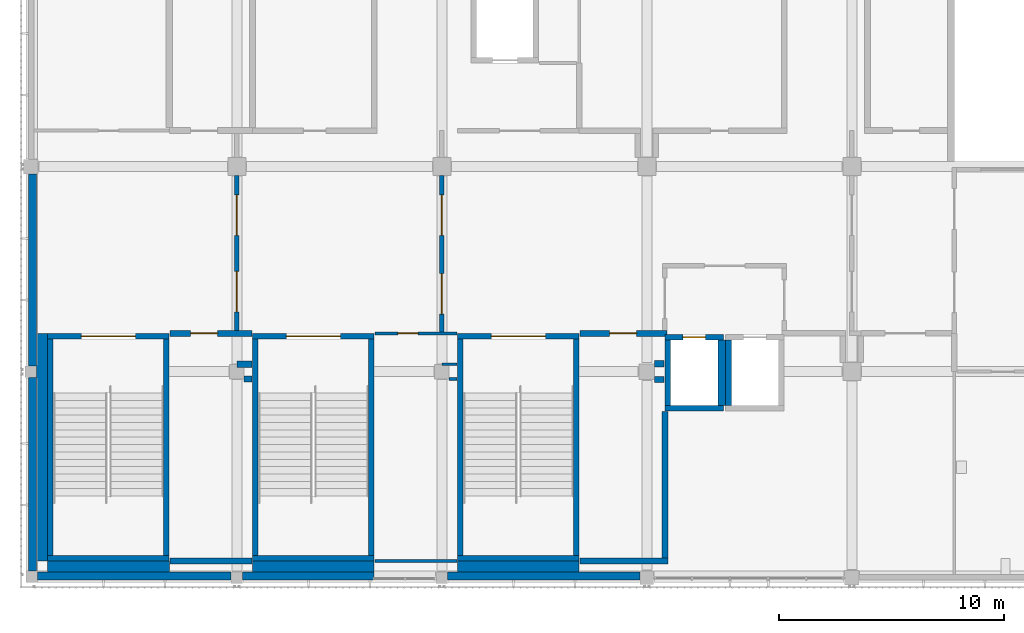
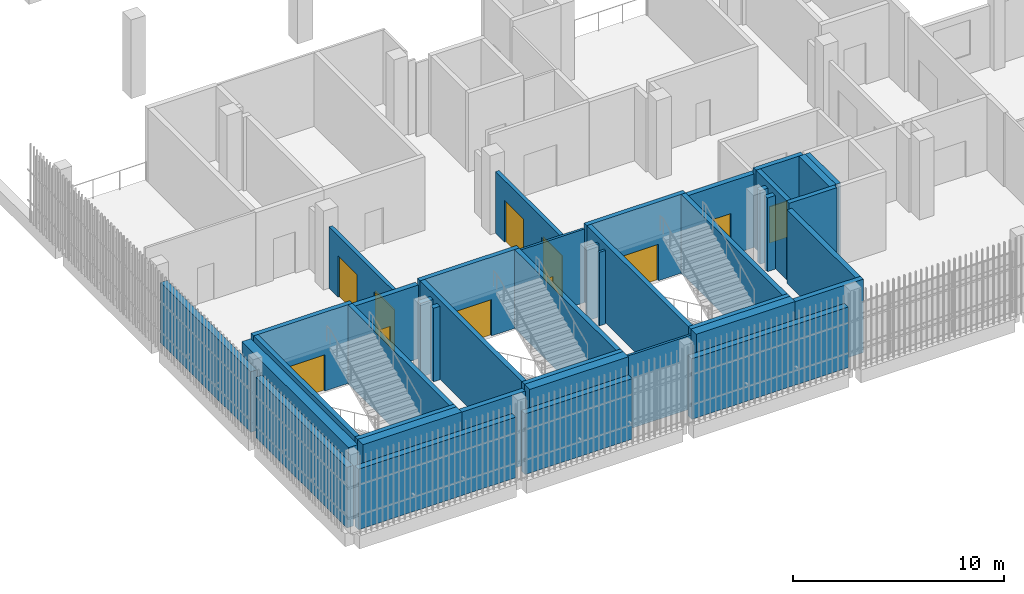
# One storey, part 53 of 104: 41 walls, 11 doors, 11 openings.
"""IFC4 building model written with IfcOpenShell, lengths in metres."""

from ifc_helpers import new_model, si_unit, direction, frame, frame_2d, origin, place, context, subcontext, project, spatial, rectangle, extrude, material, layer, layer_set, type_object, element, fill, save


model = new_model("IFC4")

# Units and contexts
model_context = context("Model", 3, precision=1e-05, world=origin(), true_north=direction((0.0, 1.0)))
body_context = subcontext(model_context, "Body", "Model", "MODEL_VIEW")
ifc_project = project(units=[si_unit("LENGTHUNIT", "METRE"), si_unit("AREAUNIT", "SQUARE_METRE"), si_unit("VOLUMEUNIT", "CUBIC_METRE"), si_unit("PLANEANGLEUNIT", "RADIAN"), si_unit("MASSUNIT", "GRAM", prefix="KILO")], contexts=[model_context])

# Site, building, storey
site_placement = place(None, origin())
site = spatial("IfcSite", under=ifc_project, at=site_placement, CompositionType="ELEMENT")
building_placement = place(site_placement, origin())
building = spatial("IfcBuilding", under=site, at=building_placement, Name="Shirokan Park Arena", CompositionType="ELEMENT")
storey_placement = place(building_placement, frame((0.0, 0.0, 10.919921875)))
storey = spatial("IfcBuildingStorey", under=building, at=storey_placement, Name="L02", CompositionType="ELEMENT", Elevation=10.919921875)

# Wall, openings, doors
ifc_material_1 = material(Name="Gypsum board")
ifc_layer_1 = layer(ifc_material_1, 0.02490234375, Name="Gypsum board, two layers")
ifc_material_2 = material(Name="Mineral wool insulation")
ifc_layer_2 = layer(ifc_material_2, 0.14990234375, Name="Mineral wool insulation")
ifc_layer_3 = layer(ifc_material_1, 0.02490234375, Name="Gypsum board, two layers")
ifc_layer_set_1 = layer_set([ifc_layer_1, ifc_layer_2, ifc_layer_3], Name="Gypsum board, two layers + Mineral wool insulation")
wall_type_1 = type_object("IfcWallType", Name="Corridor wall 200", PredefinedType="PARTITIONING", material=ifc_layer_set_1)
wall_1_placement = place(storey_placement, frame((9.10009765625, 17.800048828125, 0.0), z_axis=(0.0, 0.0, 1.0), x_axis=(0.0, -1.0, 0.0)))
wall_1 = element("IfcWall", 1, at=wall_1_placement, inside=storey, type_object=wall_type_1, Name="Corridor wall 200 L02", PredefinedType="PARTITIONING", context=body_context, shape_type="SweptSolid", body=[
    extrude(rectangle(XDim=6.862548828125, YDim=0.199951171875, at=frame_2d((3.43115234375, 0.0))), origin(), (0.0, 0.0, 1.0), 3.550048828125),
])
opening_1_placement = place(wall_1_placement, frame((0.85009765625, 0.0, 0.0)))
opening_1 = element("IfcOpeningElement", 2, at=opening_1_placement, cuts=wall_1, Name="Opening D-2043", PredefinedType="OPENING", context=body_context, shape_type="SweptSolid", body=[
    extrude(rectangle(XDim=1.800048828125, YDim=2.39990234375, at=frame_2d((0.89990234375, 1.199951171875))), frame((0.0, 0.10986328125, 0.0), z_axis=(0.0, -1.0, 0.0), x_axis=(1.0, 0.0, 0.0)), (0.0, 0.0, 1.0), 0.219970703125),
])
opening_2_placement = place(wall_1_placement, frame((4.25, 0.0, 0.0)))
opening_2 = element("IfcOpeningElement", 3, at=opening_2_placement, cuts=wall_1, Name="Opening D-2044", PredefinedType="OPENING", context=body_context, shape_type="SweptSolid", body=[
    extrude(rectangle(XDim=1.800048828125, YDim=2.39990234375, at=frame_2d((0.89990234375, 1.199951171875))), frame((0.0, 0.10986328125, 0.0), z_axis=(0.0, -1.0, 0.0), x_axis=(1.0, 0.0, 0.0)), (0.0, 0.0, 1.0), 0.219970703125),
])
ifc_material_3 = material(Name="Glazed steel door set, fire resisting", Category="steel")
door_type_1 = type_object("IfcDoorType", Name="Lift lobby door 1800 x 2400", OperationType="DOUBLE_DOOR_SINGLE_SWING", PredefinedType="DOOR", material=ifc_material_3)
door_1_placement = place(opening_1_placement, origin())
door_1 = element("IfcDoor", 4, at=door_1_placement, inside=storey, type_object=door_type_1, Name="Door between Stair Lobby 1.2.1 and Lounge Lobby 1.2.2 D-2043", OperationType="DOUBLE_DOOR_SINGLE_SWING", OverallHeight=2.39990234375, OverallWidth=1.800048828125, PredefinedType="DOOR", context=body_context, shape_type="SweptSolid", body=[
    extrude(rectangle(XDim=1.800048828125, YDim=2.39990234375, at=frame_2d((0.89990234375, 1.199951171875))), frame((0.0, 0.02490234375, 0.0), z_axis=(0.0, -1.0, 0.0), x_axis=(1.0, 0.0, 0.0)), (0.0, 0.0, 1.0), 0.050048828125),
])
fill(opening_1, door_1)
door_2_placement = place(opening_2_placement, origin())
door_2 = element("IfcDoor", 5, at=door_2_placement, inside=storey, type_object=door_type_1, Name="Door between Stair Lobby 1.2.1 and Lounge Lobby 1.2.2 D-2044", OperationType="DOUBLE_DOOR_SINGLE_SWING", OverallHeight=2.39990234375, OverallWidth=1.800048828125, PredefinedType="DOOR", context=body_context, shape_type="SweptSolid", body=[
    extrude(rectangle(XDim=1.800048828125, YDim=2.39990234375, at=frame_2d((0.89990234375, 1.199951171875))), frame((0.0, 0.02490234375, 0.0), z_axis=(0.0, -1.0, 0.0), x_axis=(1.0, 0.0, 0.0)), (0.0, 0.0, 1.0), 0.050048828125),
])
fill(opening_2, door_2)

wall_2_placement = place(storey_placement, frame((18.199951171875, 17.800048828125, 0.0), z_axis=(0.0, 0.0, 1.0), x_axis=(0.0, -1.0, 0.0)))
wall_2 = element("IfcWall", 6, at=wall_2_placement, inside=storey, type_object=wall_type_1, Name="Corridor wall 200 L02", PredefinedType="PARTITIONING", context=body_context, shape_type="SweptSolid", body=[
    extrude(rectangle(XDim=6.9375, YDim=0.199951171875, at=frame_2d((3.46875, 0.0))), origin(), (0.0, 0.0, 1.0), 3.550048828125),
])
opening_3_placement = place(wall_2_placement, frame((0.85009765625, 0.0, 0.0)))
opening_3 = element("IfcOpeningElement", 7, at=opening_3_placement, cuts=wall_2, Name="Opening D-2045", PredefinedType="OPENING", context=body_context, shape_type="SweptSolid", body=[
    extrude(rectangle(XDim=1.800048828125, YDim=2.39990234375, at=frame_2d((0.89990234375, 1.199951171875))), frame((0.0, 0.10986328125, 0.0), z_axis=(0.0, -1.0, 0.0), x_axis=(1.0, 0.0, 0.0)), (0.0, 0.0, 1.0), 0.219970703125),
])
opening_4_placement = place(wall_2_placement, frame((4.35009765625, 0.0, 0.0)))
opening_4 = element("IfcOpeningElement", 8, at=opening_4_placement, cuts=wall_2, Name="Opening D-2046", PredefinedType="OPENING", context=body_context, shape_type="SweptSolid", body=[
    extrude(rectangle(XDim=1.800048828125, YDim=2.39990234375, at=frame_2d((0.89990234375, 1.199951171875))), frame((0.0, 0.10986328125, 0.0), z_axis=(0.0, -1.0, 0.0), x_axis=(1.0, 0.0, 0.0)), (0.0, 0.0, 1.0), 0.219970703125),
])
door_3_placement = place(opening_3_placement, origin())
door_3 = element("IfcDoor", 9, at=door_3_placement, inside=storey, type_object=door_type_1, Name="Door between Lounge Lobby 1.2.2 and Club Gallery 1.2.3 D-2045", OperationType="DOUBLE_DOOR_SINGLE_SWING", OverallHeight=2.39990234375, OverallWidth=1.800048828125, PredefinedType="DOOR", context=body_context, shape_type="SweptSolid", body=[
    extrude(rectangle(XDim=1.800048828125, YDim=2.39990234375, at=frame_2d((0.89990234375, 1.199951171875))), frame((0.0, 0.02490234375, 0.0), z_axis=(0.0, -1.0, 0.0), x_axis=(1.0, 0.0, 0.0)), (0.0, 0.0, 1.0), 0.050048828125),
])
fill(opening_3, door_3)
door_4_placement = place(opening_4_placement, origin())
door_4 = element("IfcDoor", 10, at=door_4_placement, inside=storey, type_object=door_type_1, Name="Door between Lounge Lobby 1.2.2 and Club Gallery 1.2.3 D-2046", OperationType="DOUBLE_DOOR_SINGLE_SWING", OverallHeight=2.39990234375, OverallWidth=1.800048828125, PredefinedType="DOOR", context=body_context, shape_type="SweptSolid", body=[
    extrude(rectangle(XDim=1.800048828125, YDim=2.39990234375, at=frame_2d((0.89990234375, 1.199951171875))), frame((0.0, 0.02490234375, 0.0), z_axis=(0.0, -1.0, 0.0), x_axis=(1.0, 0.0, 0.0)), (0.0, 0.0, 1.0), 0.050048828125),
])
fill(opening_4, door_4)

# Walls
ifc_material_4 = material(Name="Cedar cladding")
ifc_layer_4 = layer(ifc_material_4, 0.030029296875, Name="Cedar cladding")
ifc_layer_5 = layer(ifc_material_2, 0.10009765625, Name="Mineral wool insulation")
ifc_material_5 = material(Name="Concrete C35", Category="concrete")
ifc_layer_6 = layer(ifc_material_5, 0.199951171875, Name="Concrete C35")
ifc_material_6 = material(Name="Gypsum board lining")
ifc_layer_7 = layer(ifc_material_6, 0.02001953125, Name="Gypsum board lining")
ifc_layer_set_2 = layer_set([ifc_layer_4, ifc_layer_5, ifc_layer_6, ifc_layer_7], Name="Cedar cladding + Mineral wool insulation + Concrete C35 + Gypsum board lining")
wall_type_2 = type_object("IfcWallType", Name="Insulated tower wall 350", PredefinedType="SOLIDWALL", material=ifc_layer_set_2)
wall_3_placement = place(storey_placement, frame((0.25, 0.02490234375, 0.0), z_axis=(0.0, 0.0, 1.0), x_axis=(1.0, 0.0, 0.0)))
element("IfcWall", 11, at=wall_3_placement, inside=storey, type_object=wall_type_2, Name="South facade wall bay 1 L02", PredefinedType="SOLIDWALL", context=body_context, shape_type="SweptSolid", body=[
    extrude(rectangle(XDim=8.60009765625, YDim=0.35009765625, at=frame_2d((4.300048828125, 0.0))), origin(), (0.0, 0.0, 1.0), 3.5),
])
wall_4_placement = place(storey_placement, frame((9.35009765625, 0.02490234375, 0.0), z_axis=(0.0, 0.0, 1.0), x_axis=(1.0, 0.0, 0.0)))
element("IfcWall", 12, at=wall_4_placement, inside=storey, type_object=wall_type_2, Name="South facade wall bay 2 L02", PredefinedType="SOLIDWALL", context=body_context, shape_type="SweptSolid", body=[
    extrude(rectangle(XDim=5.849853515625, YDim=0.35009765625, at=frame_2d((2.9248046875, 0.0))), origin(), (0.0, 0.0, 1.0), 3.5),
])
wall_5_placement = place(storey_placement, frame((18.449951171875, 0.02490234375, 0.0), z_axis=(0.0, 0.0, 1.0), x_axis=(1.0, 0.0, 0.0)))
element("IfcWall", 13, at=wall_5_placement, inside=storey, type_object=wall_type_2, Name="South facade wall bay 3 L02", PredefinedType="SOLIDWALL", context=body_context, shape_type="SweptSolid", body=[
    extrude(rectangle(XDim=8.550048828125, YDim=0.35009765625, at=frame_2d((4.27490234375, 0.0))), origin(), (0.0, 0.0, 1.0), 3.5),
])
wall_6_placement = place(storey_placement, frame((0.02490234375, 17.875, 0.0), z_axis=(0.0, 0.0, 1.0), x_axis=(0.0, -1.0, 0.0)))
element("IfcWall", 14, at=wall_6_placement, inside=storey, type_object=wall_type_2, Name="West facade wall bay 11 L02", PredefinedType="SOLIDWALL", context=body_context, shape_type="SweptSolid", body=[
    extrude(rectangle(XDim=8.52490234375, YDim=0.35009765625, at=frame_2d((4.262451171875, 0.0))), origin(), (0.0, 0.0, 1.0), 3.5),
])
wall_7_placement = place(storey_placement, frame((0.02490234375, 8.85009765625, 0.0), z_axis=(0.0, 0.0, 1.0), x_axis=(0.0, -1.0, 0.0)))
element("IfcWall", 15, at=wall_7_placement, inside=storey, type_object=wall_type_2, Name="West facade wall bay 12 L02", PredefinedType="SOLIDWALL", context=body_context, shape_type="SweptSolid", body=[
    extrude(rectangle(XDim=8.60009765625, YDim=0.35009765625, at=frame_2d((4.300048828125, 0.0))), origin(), (0.0, 0.0, 1.0), 3.5),
])
ifc_material_7 = material(Name="Plaster")
ifc_layer_8 = layer(ifc_material_7, 0.012451171875, Name="Plaster")
ifc_material_8 = material(Name="Concrete blockwork", Category="masonry")
ifc_layer_9 = layer(ifc_material_8, 0.25, Name="Concrete blockwork 250")
ifc_layer_10 = layer(ifc_material_7, 0.012451171875, Name="Plaster")
ifc_layer_set_3 = layer_set([ifc_layer_8, ifc_layer_9, ifc_layer_10], Name="Plaster + Concrete blockwork 250")
wall_type_3 = type_object("IfcWallType", Name="Plant room wall 275", PredefinedType="SOLIDWALL", material=ifc_layer_set_3)
wall_8_placement = place(storey_placement, frame((9.10009765625, 9.425048828125, 0.0), z_axis=(0.0, 0.0, 1.0), x_axis=(1.0, 0.0, 0.0)))
element("IfcWall", 16, at=wall_8_placement, inside=storey, type_object=wall_type_3, Name="Plant room wall 275 L02", PredefinedType="SOLIDWALL", context=body_context, shape_type="SweptSolid", body=[
    extrude(rectangle(XDim=0.669921875, YDim=0.27490234375, at=frame_2d((0.3349609375, 0.0))), origin(), (0.0, 0.0, 1.0), 4.25),
])

# Wall, opening, door
wall_9_placement = place(storey_placement, frame((6.1298828125, 10.800048828125, 0.0), z_axis=(0.0, 0.0, 1.0), x_axis=(1.0, 0.0, 0.0)))
wall_9 = element("IfcWall", 17, at=wall_9_placement, inside=storey, type_object=wall_type_3, Name="Plant room wall 275 L02", PredefinedType="SOLIDWALL", context=body_context, shape_type="SweptSolid", body=[
    extrude(rectangle(XDim=3.64013671875, YDim=0.27490234375, at=frame_2d((1.820068359375, 0.0))), origin(), (0.0, 0.0, 1.0), 4.25),
])
opening_5_placement = place(wall_9_placement, frame((0.919921875, 0.0, 0.0)))
opening_5 = element("IfcOpeningElement", 18, at=opening_5_placement, cuts=wall_9, Name="Opening D-2006", PredefinedType="OPENING", context=body_context, shape_type="SweptSolid", body=[
    extrude(rectangle(XDim=1.199951171875, YDim=2.39990234375, at=frame_2d((0.60009765625, 1.199951171875))), frame((0.0, 0.1474609375, 0.0), z_axis=(0.0, -1.0, 0.0), x_axis=(1.0, 0.0, 0.0)), (0.0, 0.0, 1.0), 0.294921875),
])
ifc_material_9 = material(Name="Louvred steel door set, fire resisting", Category="steel")
door_type_2 = type_object("IfcDoorType", Name="Plant room door 1200 x 2400", OperationType="SINGLE_SWING_LEFT", PredefinedType="DOOR", material=ifc_material_9)
door_5_placement = place(opening_5_placement, origin())
door_5 = element("IfcDoor", 19, at=door_5_placement, inside=storey, type_object=door_type_2, Name="Door to Electrical Room 2.10 D-2006", OperationType="SINGLE_SWING_RIGHT", OverallHeight=2.39990234375, OverallWidth=1.199951171875, PredefinedType="DOOR", context=body_context, shape_type="SweptSolid", body=[
    extrude(rectangle(XDim=1.199951171875, YDim=2.39990234375, at=frame_2d((0.60009765625, 1.199951171875))), frame((0.0, 0.02490234375, 0.0), z_axis=(0.0, -1.0, 0.0), x_axis=(1.0, 0.0, 0.0)), (0.0, 0.0, 1.0), 0.050048828125),
])
fill(opening_5, door_5)

# Walls
wall_10_placement = place(storey_placement, frame((9.425048828125, 8.77490234375, 0.0), z_axis=(0.0, 0.0, 1.0), x_axis=(1.0, 0.0, 0.0)))
element("IfcWall", 20, at=wall_10_placement, inside=storey, type_object=wall_type_3, Name="Plant room wall 275 L02", PredefinedType="SOLIDWALL", context=body_context, shape_type="SweptSolid", body=[
    extrude(rectangle(XDim=0.344970703125, YDim=0.27490234375, at=frame_2d((0.17236328125, 0.0))), origin(), (0.0, 0.0, 1.0), 4.25),
])
wall_11_placement = place(storey_placement, frame((9.77001953125, 0.699951171875, 0.0), z_axis=(0.0, 0.0, 1.0), x_axis=(-1.0, 0.0, 0.0)))
element("IfcWall", 21, at=wall_11_placement, inside=storey, type_object=wall_type_3, Name="Plant room wall 275 L02", PredefinedType="SOLIDWALL", context=body_context, shape_type="SweptSolid", body=[
    extrude(rectangle(XDim=3.64013671875, YDim=0.27490234375, at=frame_2d((1.820068359375, 0.0))), origin(), (0.0, 0.0, 1.0), 4.25),
])
for number, where, z_axis, x_axis, name in (
    (22, (27.64990234375, 8.75, 0.0), (0.0, 0.0, 1.0), (1.0, 0.0, 0.0), "Plant room wall 275 L02"),
    (23, (28.070068359375, 9.449951171875, 0.0), (0.0, 0.0, 1.0), (-1.0, 0.0, 0.0), "Plant room wall 275 L02"),
):
    element("IfcWall", number, at=place(storey_placement, frame(where, z_axis=z_axis, x_axis=x_axis)), inside=storey, type_object=wall_type_3, Name=name, PredefinedType="SOLIDWALL", context=body_context, shape_type="SweptSolid", body=[
        extrude(rectangle(XDim=0.420166015625, YDim=0.27490234375, at=frame_2d((0.2099609375, 0.0))), origin(), (0.0, 0.0, 1.0), 4.25),
    ])
wall_12_placement = place(storey_placement, frame((28.10009765625, 7.320068359375, 0.0), z_axis=(0.0, 0.0, 1.0), x_axis=(0.0, -1.0, 0.0)))
element("IfcWall", 24, at=wall_12_placement, inside=storey, type_object=wall_type_3, Name="Plant room wall 275 L02", PredefinedType="SOLIDWALL", context=body_context, shape_type="SweptSolid", body=[
    extrude(rectangle(XDim=6.482666015625, YDim=0.27490234375, at=frame_2d((3.2412109375, 0.0))), origin(), (0.0, 0.0, 1.0), 4.25),
])

# Wall, opening, door
wall_13_placement = place(storey_placement, frame((28.199951171875, 10.800048828125, 0.0), z_axis=(0.0, 0.0, 1.0), x_axis=(-1.0, 0.0, 0.0)))
wall_13 = element("IfcWall", 25, at=wall_13_placement, inside=storey, type_object=wall_type_3, Name="Plant room wall 275 L02", PredefinedType="SOLIDWALL", context=body_context, shape_type="SweptSolid", body=[
    extrude(rectangle(XDim=3.869873046875, YDim=0.27490234375, at=frame_2d((1.93505859375, 0.0))), origin(), (0.0, 0.0, 1.0), 4.25),
])
opening_6_placement = place(wall_13_placement, frame((1.35009765625, 0.0, 0.0)))
opening_6 = element("IfcOpeningElement", 26, at=opening_6_placement, cuts=wall_13, Name="Opening D-2008", PredefinedType="OPENING", context=body_context, shape_type="SweptSolid", body=[
    extrude(rectangle(XDim=1.199951171875, YDim=2.39990234375, at=frame_2d((0.60009765625, 1.199951171875))), frame((0.0, 0.1474609375, 0.0), z_axis=(0.0, -1.0, 0.0), x_axis=(1.0, 0.0, 0.0)), (0.0, 0.0, 1.0), 0.294921875),
])
door_6_placement = place(opening_6_placement, origin())
door_6 = element("IfcDoor", 27, at=door_6_placement, inside=storey, type_object=door_type_2, Name="Door to Communications Room 2.12 D-2008", OperationType="SINGLE_SWING_LEFT", OverallHeight=2.39990234375, OverallWidth=1.199951171875, PredefinedType="DOOR", context=body_context, shape_type="SweptSolid", body=[
    extrude(rectangle(XDim=1.199951171875, YDim=2.39990234375, at=frame_2d((0.60009765625, 1.199951171875))), frame((0.0, 0.02490234375, 0.0), z_axis=(0.0, -1.0, 0.0), x_axis=(1.0, 0.0, 0.0)), (0.0, 0.0, 1.0), 0.050048828125),
])
fill(opening_6, door_6)

# Walls
wall_14_placement = place(storey_placement, frame((28.237548828125, 0.699951171875, 0.0), z_axis=(0.0, 0.0, 1.0), x_axis=(-1.0, 0.0, 0.0)))
element("IfcWall", 28, at=wall_14_placement, inside=storey, type_object=wall_type_3, Name="Plant room wall 275 L02", PredefinedType="SOLIDWALL", context=body_context, shape_type="SweptSolid", body=[
    extrude(rectangle(XDim=3.907470703125, YDim=0.27490234375, at=frame_2d((1.95361328125, 0.0))), origin(), (0.0, 0.0, 1.0), 4.25),
])
ifc_material_10 = material(Name="Concrete C40/50", Category="concrete")
ifc_layer_11 = layer(ifc_material_10, 0.25)
ifc_layer_set_4 = layer_set([ifc_layer_11], Name="Concrete C40/50 250 mm")
wall_type_4 = type_object("IfcWallType", Name="RC shear wall 250", PredefinedType="SHEAR", material=ifc_layer_set_4)
wall_15_placement = place(storey_placement, frame((30.699951171875, 7.47509765625, 0.0), z_axis=(0.0, 0.0, 1.0), x_axis=(-1.0, 0.0, 0.0)))
element("IfcWall", 29, at=wall_15_placement, inside=storey, type_object=wall_type_4, Name="Shaft wall Passenger Lift 1.1 S L02", PredefinedType="SHEAR", context=body_context, shape_type="SweptSolid", body=[
    extrude(rectangle(XDim=2.599853515625, YDim=0.25, at=frame_2d((1.2998046875, 0.0))), origin(), (0.0, 0.0, 1.0), 4.550048828125),
])

# Wall, opening, door
wall_16_placement = place(storey_placement, frame((30.699951171875, 10.625, 0.0), z_axis=(0.0, 0.0, 1.0), x_axis=(-1.0, 0.0, 0.0)))
wall_16 = element("IfcWall", 30, at=wall_16_placement, inside=storey, type_object=wall_type_4, Name="Shaft wall Passenger Lift 1.1 N L02", PredefinedType="SHEAR", context=body_context, shape_type="SweptSolid", body=[
    extrude(rectangle(XDim=2.599853515625, YDim=0.25, at=frame_2d((1.2998046875, 0.0))), origin(), (0.0, 0.0, 1.0), 4.550048828125),
])
opening_7_placement = place(wall_16_placement, frame((0.800048828125, 0.0, 0.0)))
opening_7 = element("IfcOpeningElement", 31, at=opening_7_placement, cuts=wall_16, Name="Opening LD03", PredefinedType="OPENING", context=body_context, shape_type="SweptSolid", body=[
    extrude(rectangle(XDim=1.0, YDim=2.10009765625, at=frame_2d((0.5, 1.050048828125))), frame((0.0, 0.135009765625, 0.0), z_axis=(0.0, -1.0, 0.0), x_axis=(1.0, 0.0, 0.0)), (0.0, 0.0, 1.0), 0.27001953125),
])
ifc_material_11 = material(Name="Stainless steel", Category="steel")
door_type_3 = type_object("IfcDoorType", Name="Lift landing door 1000x2100", OperationType="DOUBLE_DOOR_SLIDING", PredefinedType="DOOR", material=ifc_material_11)
door_7_placement = place(opening_7_placement, origin())
door_7 = element("IfcDoor", 32, at=door_7_placement, inside=storey, type_object=door_type_3, Name="Lift landing door Passenger Lift 1.1 L02", OperationType="DOUBLE_DOOR_SLIDING", OverallHeight=2.10009765625, OverallWidth=1.0, PredefinedType="DOOR", context=body_context, shape_type="SweptSolid", body=[
    extrude(rectangle(XDim=1.0, YDim=2.10009765625, at=frame_2d((0.5, 1.050048828125))), frame((0.0, 0.02490234375, 0.0), z_axis=(0.0, -1.0, 0.0), x_axis=(1.0, 0.0, 0.0)), (0.0, 0.0, 1.0), 0.050048828125),
])
fill(opening_7, door_7)

# Walls
for number, where, z_axis, x_axis, name in (
    (33, (28.22509765625, 10.5, 0.0), (0.0, 0.0, 1.0), (0.0, -1.0, 0.0), "Shaft wall Passenger Lift 1.1 W L02"),
    (34, (30.925048828125, 10.5, 0.0), (0.0, 0.0, 1.0), (0.0, -1.0, 0.0), "Shaft wall Passenger Lift 1.2 W L02"),
):
    element("IfcWall", number, at=place(storey_placement, frame(where, z_axis=z_axis, x_axis=x_axis)), inside=storey, type_object=wall_type_4, Name=name, PredefinedType="SHEAR", context=body_context, shape_type="SweptSolid", body=[
        extrude(rectangle(XDim=2.89990234375, YDim=0.25, at=frame_2d((1.449951171875, 0.0))), origin(), (0.0, 0.0, 1.0), 4.550048828125),
    ])
wall_17_placement = place(storey_placement, frame((6.10009765625, 0.824951171875, 0.0), z_axis=(0.0, 0.0, 1.0), x_axis=(-1.0, 0.0, 0.0)))
element("IfcWall", 35, at=wall_17_placement, inside=storey, type_object=wall_type_4, Name="Shaft wall Exit Stair 1.A S L02", PredefinedType="SHEAR", context=body_context, shape_type="SweptSolid", body=[
    extrude(rectangle(XDim=5.400146484375, YDim=0.25, at=frame_2d((2.7001953125, 0.0))), origin(), (0.0, 0.0, 1.0), 4.550048828125),
])

# Wall, opening, door
wall_18_placement = place(storey_placement, frame((6.10009765625, 10.675048828125, 0.0), z_axis=(0.0, 0.0, 1.0), x_axis=(-1.0, 0.0, 0.0)))
wall_18 = element("IfcWall", 36, at=wall_18_placement, inside=storey, type_object=wall_type_4, Name="Shaft wall Exit Stair 1.A N L02", PredefinedType="SHEAR", context=body_context, shape_type="SweptSolid", body=[
    extrude(rectangle(XDim=5.400146484375, YDim=0.25, at=frame_2d((2.7001953125, 0.0))), origin(), (0.0, 0.0, 1.0), 4.550048828125),
])
opening_8_placement = place(wall_18_placement, frame((1.5, 0.0, 0.0)))
opening_8 = element("IfcOpeningElement", 37, at=opening_8_placement, cuts=wall_18, Name="Opening D-2091", PredefinedType="OPENING", context=body_context, shape_type="SweptSolid", body=[
    extrude(rectangle(XDim=2.39990234375, YDim=2.10009765625, at=frame_2d((1.199951171875, 1.050048828125))), frame((0.0, 0.135009765625, 0.0), z_axis=(0.0, -1.0, 0.0), x_axis=(1.0, 0.0, 0.0)), (0.0, 0.0, 1.0), 0.27001953125),
])
ifc_material_12 = material(Name="Steel door set, fire resisting", Category="steel")
door_type_4 = type_object("IfcDoorType", Name="Stair door 2400 x 2100", OperationType="DOUBLE_DOOR_SINGLE_SWING", PredefinedType="DOOR", material=ifc_material_12)
door_8_placement = place(opening_8_placement, origin())
door_8 = element("IfcDoor", 38, at=door_8_placement, inside=storey, type_object=door_type_4, Name="Stair door Exit Stair 1.A D-2091", OperationType="DOUBLE_DOOR_SINGLE_SWING", OverallHeight=2.10009765625, OverallWidth=2.39990234375, PredefinedType="DOOR", context=body_context, shape_type="SweptSolid", body=[
    extrude(rectangle(XDim=2.39990234375, YDim=2.10009765625, at=frame_2d((1.199951171875, 1.050048828125))), frame((0.0, 0.02490234375, 0.0), z_axis=(0.0, -1.0, 0.0), x_axis=(1.0, 0.0, 0.0)), (0.0, 0.0, 1.0), 0.050048828125),
])
fill(opening_8, door_8)

# Walls
for number, where, z_axis, x_axis, name in (
    (39, (0.824951171875, 10.550048828125, 0.0), (0.0, 0.0, 1.0), (0.0, -1.0, 0.0), "Shaft wall Exit Stair 1.A W L02"),
    (40, (5.97509765625, 10.550048828125, 0.0), (0.0, 0.0, 1.0), (0.0, -1.0, 0.0), "Shaft wall Exit Stair 1.A E L02"),
):
    element("IfcWall", number, at=place(storey_placement, frame(where, z_axis=z_axis, x_axis=x_axis)), inside=storey, type_object=wall_type_4, Name=name, PredefinedType="SHEAR", context=body_context, shape_type="SweptSolid", body=[
        extrude(rectangle(XDim=9.60009765625, YDim=0.25, at=frame_2d((4.800048828125, 0.0))), origin(), (0.0, 0.0, 1.0), 4.550048828125),
    ])
wall_19_placement = place(storey_placement, frame((15.199951171875, 0.824951171875, 0.0), z_axis=(0.0, 0.0, 1.0), x_axis=(-1.0, 0.0, 0.0)))
element("IfcWall", 41, at=wall_19_placement, inside=storey, type_object=wall_type_4, Name="Shaft wall Exit Stair 1.B S L02", PredefinedType="SHEAR", context=body_context, shape_type="SweptSolid", body=[
    extrude(rectangle(XDim=5.39990234375, YDim=0.25, at=frame_2d((2.699951171875, 0.0))), origin(), (0.0, 0.0, 1.0), 4.550048828125),
])

# Wall, opening, door
wall_20_placement = place(storey_placement, frame((15.199951171875, 10.675048828125, 0.0), z_axis=(0.0, 0.0, 1.0), x_axis=(-1.0, 0.0, 0.0)))
wall_20 = element("IfcWall", 42, at=wall_20_placement, inside=storey, type_object=wall_type_4, Name="Shaft wall Exit Stair 1.B N L02", PredefinedType="SHEAR", context=body_context, shape_type="SweptSolid", body=[
    extrude(rectangle(XDim=5.39990234375, YDim=0.25, at=frame_2d((2.699951171875, 0.0))), origin(), (0.0, 0.0, 1.0), 4.550048828125),
])
opening_9_placement = place(wall_20_placement, frame((1.5, 0.0, 0.0)))
opening_9 = element("IfcOpeningElement", 43, at=opening_9_placement, cuts=wall_20, Name="Opening D-2092", PredefinedType="OPENING", context=body_context, shape_type="SweptSolid", body=[
    extrude(rectangle(XDim=2.39990234375, YDim=2.10009765625, at=frame_2d((1.199951171875, 1.050048828125))), frame((0.0, 0.135009765625, 0.0), z_axis=(0.0, -1.0, 0.0), x_axis=(1.0, 0.0, 0.0)), (0.0, 0.0, 1.0), 0.27001953125),
])
door_9_placement = place(opening_9_placement, origin())
door_9 = element("IfcDoor", 44, at=door_9_placement, inside=storey, type_object=door_type_4, Name="Stair door Exit Stair 1.B D-2092", OperationType="DOUBLE_DOOR_SINGLE_SWING", OverallHeight=2.10009765625, OverallWidth=2.39990234375, PredefinedType="DOOR", context=body_context, shape_type="SweptSolid", body=[
    extrude(rectangle(XDim=2.39990234375, YDim=2.10009765625, at=frame_2d((1.199951171875, 1.050048828125))), frame((0.0, 0.02490234375, 0.0), z_axis=(0.0, -1.0, 0.0), x_axis=(1.0, 0.0, 0.0)), (0.0, 0.0, 1.0), 0.050048828125),
])
fill(opening_9, door_9)

# Walls
for number, where, z_axis, x_axis, name in (
    (45, (9.925048828125, 10.550048828125, 0.0), (0.0, 0.0, 1.0), (0.0, -1.0, 0.0), "Shaft wall Exit Stair 1.B W L02"),
    (46, (15.074951171875, 10.550048828125, 0.0), (0.0, 0.0, 1.0), (0.0, -1.0, 0.0), "Shaft wall Exit Stair 1.B E L02"),
):
    element("IfcWall", number, at=place(storey_placement, frame(where, z_axis=z_axis, x_axis=x_axis)), inside=storey, type_object=wall_type_4, Name=name, PredefinedType="SHEAR", context=body_context, shape_type="SweptSolid", body=[
        extrude(rectangle(XDim=9.60009765625, YDim=0.25, at=frame_2d((4.800048828125, 0.0))), origin(), (0.0, 0.0, 1.0), 4.550048828125),
    ])
wall_21_placement = place(storey_placement, frame((24.300048828125, 0.824951171875, 0.0), z_axis=(0.0, 0.0, 1.0), x_axis=(-1.0, 0.0, 0.0)))
element("IfcWall", 47, at=wall_21_placement, inside=storey, type_object=wall_type_4, Name="Shaft wall Exit Stair 1.C S L02", PredefinedType="SHEAR", context=body_context, shape_type="SweptSolid", body=[
    extrude(rectangle(XDim=5.400146484375, YDim=0.25, at=frame_2d((2.7001953125, 0.0))), origin(), (0.0, 0.0, 1.0), 4.550048828125),
])

# Wall, opening, door
wall_22_placement = place(storey_placement, frame((24.300048828125, 10.675048828125, 0.0), z_axis=(0.0, 0.0, 1.0), x_axis=(-1.0, 0.0, 0.0)))
wall_22 = element("IfcWall", 48, at=wall_22_placement, inside=storey, type_object=wall_type_4, Name="Shaft wall Exit Stair 1.C N L02", PredefinedType="SHEAR", context=body_context, shape_type="SweptSolid", body=[
    extrude(rectangle(XDim=5.400146484375, YDim=0.25, at=frame_2d((2.7001953125, 0.0))), origin(), (0.0, 0.0, 1.0), 4.550048828125),
])
opening_10_placement = place(wall_22_placement, frame((1.5, 0.0, 0.0)))
opening_10 = element("IfcOpeningElement", 49, at=opening_10_placement, cuts=wall_22, Name="Opening D-2093", PredefinedType="OPENING", context=body_context, shape_type="SweptSolid", body=[
    extrude(rectangle(XDim=2.39990234375, YDim=2.10009765625, at=frame_2d((1.199951171875, 1.050048828125))), frame((0.0, 0.135009765625, 0.0), z_axis=(0.0, -1.0, 0.0), x_axis=(1.0, 0.0, 0.0)), (0.0, 0.0, 1.0), 0.27001953125),
])
door_10_placement = place(opening_10_placement, origin())
door_10 = element("IfcDoor", 50, at=door_10_placement, inside=storey, type_object=door_type_4, Name="Stair door Exit Stair 1.C D-2093", OperationType="DOUBLE_DOOR_SINGLE_SWING", OverallHeight=2.10009765625, OverallWidth=2.39990234375, PredefinedType="DOOR", context=body_context, shape_type="SweptSolid", body=[
    extrude(rectangle(XDim=2.39990234375, YDim=2.10009765625, at=frame_2d((1.199951171875, 1.050048828125))), frame((0.0, 0.02490234375, 0.0), z_axis=(0.0, -1.0, 0.0), x_axis=(1.0, 0.0, 0.0)), (0.0, 0.0, 1.0), 0.050048828125),
])
fill(opening_10, door_10)

# Walls
for number, where, z_axis, x_axis, name in (
    (51, (19.02490234375, 10.550048828125, 0.0), (0.0, 0.0, 1.0), (0.0, -1.0, 0.0), "Shaft wall Exit Stair 1.C W L02"),
    (52, (24.175048828125, 10.550048828125, 0.0), (0.0, 0.0, 1.0), (0.0, -1.0, 0.0), "Shaft wall Exit Stair 1.C E L02"),
):
    element("IfcWall", number, at=place(storey_placement, frame(where, z_axis=z_axis, x_axis=x_axis)), inside=storey, type_object=wall_type_4, Name=name, PredefinedType="SHEAR", context=body_context, shape_type="SweptSolid", body=[
        extrude(rectangle(XDim=9.60009765625, YDim=0.25, at=frame_2d((4.800048828125, 0.0))), origin(), (0.0, 0.0, 1.0), 4.550048828125),
    ])
ifc_layer_12 = layer(ifc_material_10, 0.35009765625)
ifc_layer_set_5 = layer_set([ifc_layer_12], Name="Concrete C40/50 350 mm")
wall_type_5 = type_object("IfcWallType", Name="RC shear wall 350", PredefinedType="SHEAR", material=ifc_layer_set_5)
wall_23_placement = place(storey_placement, frame((30.625, 10.5, 0.0), z_axis=(0.0, 0.0, 1.0), x_axis=(0.0, -1.0, 0.0)))
element("IfcWall", 53, at=wall_23_placement, inside=storey, type_object=wall_type_5, Name="Shaft wall Passenger Lift 1.1 E L02", PredefinedType="SHEAR", context=body_context, shape_type="SweptSolid", body=[
    extrude(rectangle(XDim=2.89990234375, YDim=0.35009765625, at=frame_2d((1.449951171875, 0.0))), origin(), (0.0, 0.0, 1.0), 4.550048828125),
])
ifc_layer_13 = layer(ifc_material_5, 0.5)
ifc_layer_set_6 = layer_set([ifc_layer_13], Name="Concrete C35 500 mm")
wall_type_6 = type_object("IfcWallType", Name="Shaft infill wall 500", PredefinedType="SOLIDWALL", material=ifc_layer_set_6)
wall_24_placement = place(storey_placement, frame((0.699951171875, 0.449951171875, 0.0), z_axis=(0.0, 0.0, 1.0), x_axis=(1.0, 0.0, 0.0)))
element("IfcWall", 54, at=wall_24_placement, inside=storey, type_object=wall_type_6, Name="Shaft infill wall L02", PredefinedType="SOLIDWALL", context=body_context, shape_type="SweptSolid", body=[
    extrude(rectangle(XDim=5.400146484375, YDim=0.5, at=frame_2d((2.7001953125, 0.0))), origin(), (0.0, 0.0, 1.0), 4.550048828125),
])
wall_25_placement = place(storey_placement, frame((0.449951171875, 0.699951171875, 0.0), z_axis=(0.0, 0.0, 1.0), x_axis=(0.0, 1.0, 0.0)))
element("IfcWall", 55, at=wall_25_placement, inside=storey, type_object=wall_type_6, Name="Shaft infill wall L02", PredefinedType="SOLIDWALL", context=body_context, shape_type="SweptSolid", body=[
    extrude(rectangle(XDim=10.10009765625, YDim=0.5, at=frame_2d((5.050048828125, 0.0))), origin(), (0.0, 0.0, 1.0), 4.25),
])
wall_26_placement = place(storey_placement, frame((9.800048828125, 0.449951171875, 0.0), z_axis=(0.0, 0.0, 1.0), x_axis=(1.0, 0.0, 0.0)))
element("IfcWall", 56, at=wall_26_placement, inside=storey, type_object=wall_type_6, Name="Shaft infill wall L02", PredefinedType="SOLIDWALL", context=body_context, shape_type="SweptSolid", body=[
    extrude(rectangle(XDim=5.39990234375, YDim=0.5, at=frame_2d((2.699951171875, 0.0))), origin(), (0.0, 0.0, 1.0), 4.550048828125),
])
wall_27_placement = place(storey_placement, frame((18.89990234375, 0.449951171875, 0.0), z_axis=(0.0, 0.0, 1.0), x_axis=(1.0, 0.0, 0.0)))
element("IfcWall", 57, at=wall_27_placement, inside=storey, type_object=wall_type_6, Name="Shaft infill wall L02", PredefinedType="SOLIDWALL", context=body_context, shape_type="SweptSolid", body=[
    extrude(rectangle(XDim=5.400146484375, YDim=0.5, at=frame_2d((2.7001953125, 0.0))), origin(), (0.0, 0.0, 1.0), 4.550048828125),
])
ifc_material_13 = material(Name="Ceramic tile")
ifc_layer_14 = layer(ifc_material_13, 0.010009765625, Name="Ceramic tile")
ifc_material_14 = material(Name="Cement board")
ifc_layer_15 = layer(ifc_material_14, 0.012451171875, Name="Cement board")
ifc_layer_16 = layer(ifc_material_2, 0.080078125, Name="Mineral wool insulation")
ifc_layer_17 = layer(ifc_material_14, 0.012451171875, Name="Cement board")
ifc_layer_18 = layer(ifc_material_13, 0.010009765625, Name="Ceramic tile")
ifc_layer_set_7 = layer_set([ifc_layer_14, ifc_layer_15, ifc_layer_16, ifc_layer_17, ifc_layer_18], Name="Ceramic tile + Cement board + Mineral wool insulation")
wall_type_7 = type_object("IfcWallType", Name="Wet-area wall 125", PredefinedType="PARTITIONING", material=ifc_layer_set_7)
wall_28_placement = place(storey_placement, frame((18.199951171875, 9.425048828125, 0.0), z_axis=(0.0, 0.0, 1.0), x_axis=(1.0, 0.0, 0.0)))
element("IfcWall", 58, at=wall_28_placement, inside=storey, type_object=wall_type_7, Name="Wet-area wall 125 L02", PredefinedType="PARTITIONING", context=body_context, shape_type="SweptSolid", body=[
    extrude(rectangle(XDim=0.670166015625, YDim=0.125, at=frame_2d((0.3349609375, 0.0))), origin(), (0.0, 0.0, 1.0), 4.25),
])

# Wall, opening, door
wall_29_placement = place(storey_placement, frame((15.22998046875, 10.800048828125, 0.0), z_axis=(0.0, 0.0, 1.0), x_axis=(1.0, 0.0, 0.0)))
wall_29 = element("IfcWall", 59, at=wall_29_placement, inside=storey, type_object=wall_type_7, Name="Wet-area wall 125 L02", PredefinedType="PARTITIONING", context=body_context, shape_type="SweptSolid", body=[
    extrude(rectangle(XDim=3.64013671875, YDim=0.125, at=frame_2d((1.820068359375, 0.0))), origin(), (0.0, 0.0, 1.0), 4.25),
])
opening_11_placement = place(wall_29_placement, frame((1.02001953125, 0.0, 0.0)))
opening_11 = element("IfcOpeningElement", 60, at=opening_11_placement, cuts=wall_29, Name="Opening D-2007", PredefinedType="OPENING", context=body_context, shape_type="SweptSolid", body=[
    extrude(rectangle(XDim=0.89990234375, YDim=2.10009765625, at=frame_2d((0.449951171875, 1.050048828125))), frame((0.0, 0.072509765625, 0.0), z_axis=(0.0, -1.0, 0.0), x_axis=(1.0, 0.0, 0.0)), (0.0, 0.0, 1.0), 0.14501953125),
])
ifc_material_15 = material(Name="Timber door set, fire resisting", Category="wood")
door_type_5 = type_object("IfcDoorType", Name="Door 900 x 2100", OperationType="SINGLE_SWING_LEFT", PredefinedType="DOOR", material=ifc_material_15)
door_11_placement = place(opening_11_placement, origin())
door_11 = element("IfcDoor", 61, at=door_11_placement, inside=storey, type_object=door_type_5, Name="Door to Staff WC 2.11 D-2007", OperationType="SINGLE_SWING_LEFT", OverallHeight=2.10009765625, OverallWidth=0.89990234375, PredefinedType="DOOR", context=body_context, shape_type="SweptSolid", body=[
    extrude(rectangle(XDim=0.89990234375, YDim=2.10009765625, at=frame_2d((0.449951171875, 1.050048828125))), frame((0.0, 0.02490234375, 0.0), z_axis=(0.0, -1.0, 0.0), x_axis=(1.0, 0.0, 0.0)), (0.0, 0.0, 1.0), 0.050048828125),
])
fill(opening_11, door_11)

# Walls
wall_30_placement = place(storey_placement, frame((18.52490234375, 8.77490234375, 0.0), z_axis=(0.0, 0.0, 1.0), x_axis=(1.0, 0.0, 0.0)))
element("IfcWall", 62, at=wall_30_placement, inside=storey, type_object=wall_type_7, Name="Wet-area wall 125 L02", PredefinedType="PARTITIONING", context=body_context, shape_type="SweptSolid", body=[
    extrude(rectangle(XDim=0.34521484375, YDim=0.125, at=frame_2d((0.172607421875, 0.0))), origin(), (0.0, 0.0, 1.0), 4.25),
])
wall_31_placement = place(storey_placement, frame((18.8701171875, 0.699951171875, 0.0), z_axis=(0.0, 0.0, 1.0), x_axis=(-1.0, 0.0, 0.0)))
element("IfcWall", 63, at=wall_31_placement, inside=storey, type_object=wall_type_7, Name="Wet-area wall 125 L02", PredefinedType="PARTITIONING", context=body_context, shape_type="SweptSolid", body=[
    extrude(rectangle(XDim=3.64013671875, YDim=0.125, at=frame_2d((1.820068359375, 0.0))), origin(), (0.0, 0.0, 1.0), 4.25),
])

save(model, "model.ifc")
